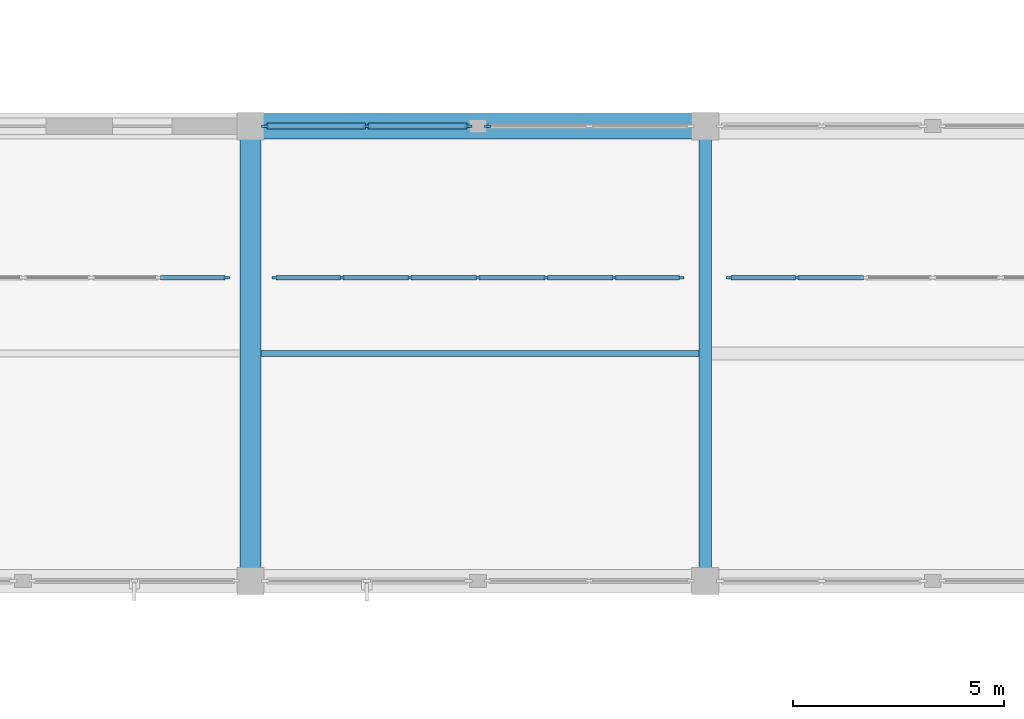
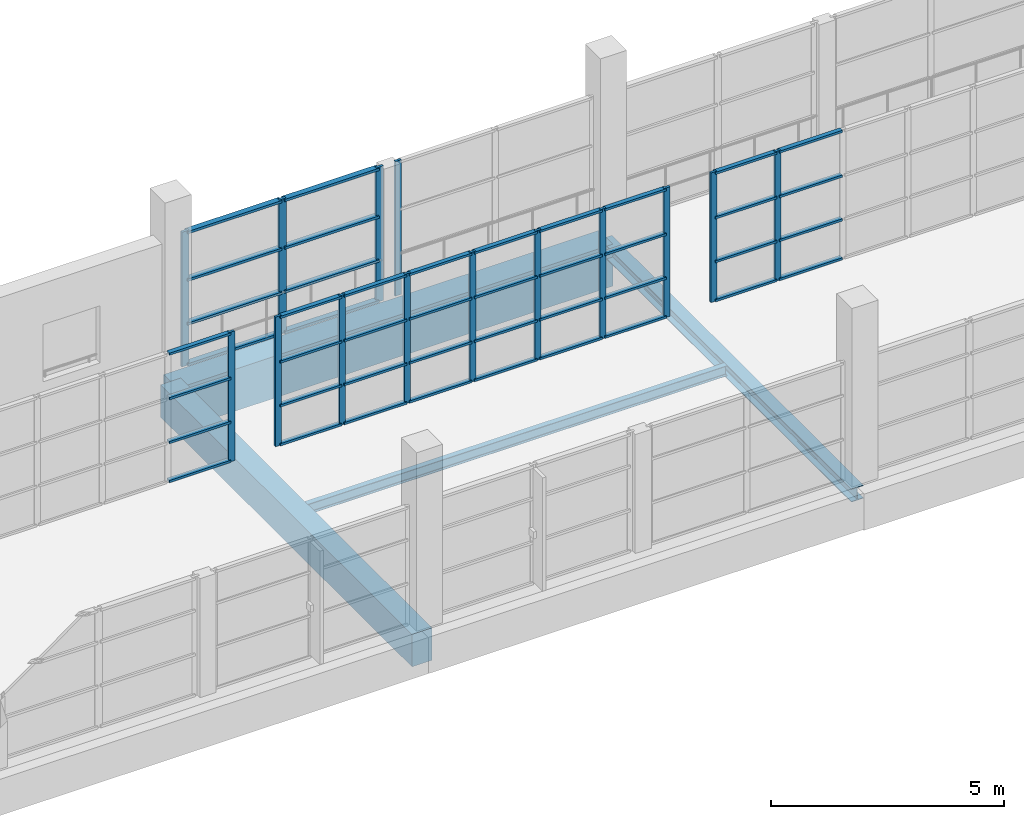
# One storey, part 27 of 142: 58 members, 4 beams, 5 elements without a shape of their own.
"""IFC4 building model written with IfcOpenShell, lengths in metres."""

from ifc_helpers import new_model, si_unit, direction, frame, origin, origin_2d, place, context, subcontext, project, spatial, rectangle, i_section, extrude, material, material_profile, profile_set, type_object, element, aggregate, save


model = new_model("IFC4")

# Units and contexts
model_context = context("Model", 3, precision=1e-05, world=origin(), true_north=direction((0.0, 1.0)))
body_context = subcontext(model_context, "Body", "Model", "MODEL_VIEW")
ifc_project = project(units=[si_unit("LENGTHUNIT", "METRE"), si_unit("AREAUNIT", "SQUARE_METRE"), si_unit("VOLUMEUNIT", "CUBIC_METRE"), si_unit("PLANEANGLEUNIT", "RADIAN"), si_unit("MASSUNIT", "GRAM", prefix="KILO")], contexts=[model_context])

# Site, building, storey
site_placement = place(None, origin())
site = spatial("IfcSite", under=ifc_project, at=site_placement, CompositionType="ELEMENT")
building_placement = place(site_placement, origin())
building = spatial("IfcBuilding", under=site, at=building_placement, Name="Zwinboog Wholesale Market", CompositionType="ELEMENT")
storey_placement = place(building_placement, frame((0.0, 0.0, 5.39990234375)))
storey = spatial("IfcBuildingStorey", under=building, at=storey_placement, Name="L01", CompositionType="ELEMENT", Elevation=5.39990234375)

# Beams
ifc_material_1 = material(Name="Precast concrete C45/55", Category="concrete")
ifc_material_profile_1 = material_profile(ifc_material_1, rectangle(XDim=0.60009765625, YDim=1.10009765625, at=origin_2d()), Name="PC 600x1100")
ifc_profile_set_1 = profile_set([ifc_material_profile_1], Name="Precast concrete C45/55")
beam_type_1 = type_object("IfcBeamType", Name="BT-01", PredefinedType="BEAM", material=ifc_profile_set_1)
beam_1_placement = place(storey_placement, frame((97.199951171875, 54.0, -0.85498046875), z_axis=(1.0, 0.0, 0.0), x_axis=(0.0, 1.0, 0.0)))
element("IfcBeam", 1, at=beam_1_placement, inside=storey, type_object=beam_type_1, Name="BG-01 (BMG-L01-0972-0540-0482)", PredefinedType="BEAM", context=body_context, shape_type="SweptSolid", body=[
    extrude(rectangle(XDim=0.60009765625, YDim=1.10009765625, at=origin_2d()), origin(), (0.0, 0.0, 1.0), 10.800048828125),
])
ifc_material_profile_2 = material_profile(ifc_material_1, rectangle(XDim=0.5, YDim=0.85009765625, at=origin_2d()), Name="PC 500x850")
ifc_profile_set_2 = profile_set([ifc_material_profile_2], Name="Precast concrete C45/55")
beam_type_2 = type_object("IfcBeamType", Name="BT-03", PredefinedType="BEAM", material=ifc_profile_set_2)
beam_2_placement = place(storey_placement, frame((97.199951171875, 43.199951171875, -0.72998046875), z_axis=(0.0, 1.0, 0.0), x_axis=(-1.0, 0.0, 0.0)))
element("IfcBeam", 2, at=beam_2_placement, inside=storey, type_object=beam_type_2, Name="BG-03 (BMG-L01-0972-0432-0689)", PredefinedType="BEAM", context=body_context, shape_type="SweptSolid", body=[
    extrude(rectangle(XDim=0.5, YDim=0.85009765625, at=origin_2d()), origin(), (0.0, 0.0, 1.0), 10.800048828125),
])
ifc_material_2 = material(Name="Steel S355", Category="steel")
ifc_material_profile_3 = material_profile(ifc_material_2, i_section(OverallWidth=0.300048828125, OverallDepth=0.35009765625, WebThickness=0.010009765625, FlangeThickness=0.017578125, FilletRadius=0.027099609375, at=origin_2d()), Name="HEA 360")
ifc_profile_set_3 = profile_set([ifc_material_profile_3], Name="Steel S355")
beam_type_3 = type_object("IfcBeamType", Name="BT-17", PredefinedType="BEAM", material=ifc_profile_set_3)
beam_3_placement = place(storey_placement, frame((108.0, 43.199951171875, -0.47998046875), z_axis=(0.0, 1.0, 0.0), x_axis=(-1.0, 0.0, 0.0)))
element("IfcBeam", 3, at=beam_3_placement, inside=storey, type_object=beam_type_3, Name="SB-04 (BMG-L01-1080-0432-0693)", PredefinedType="BEAM", context=body_context, shape_type="SweptSolid", body=[
    extrude(i_section(OverallWidth=0.300048828125, OverallDepth=0.35009765625, WebThickness=0.010009765625, FlangeThickness=0.017578125, FilletRadius=0.027099609375, at=origin_2d()), origin(), (0.0, 0.0, 1.0), 10.800048828125),
])
ifc_material_profile_4 = material_profile(ifc_material_2, i_section(OverallWidth=0.135009765625, OverallDepth=0.27001953125, WebThickness=0.006591796875, FlangeThickness=0.01025390625, FilletRadius=0.014892578125, at=origin_2d()), Name="IPE 270")
ifc_profile_set_4 = profile_set([ifc_material_profile_4], Name="Steel S355")
beam_type_4 = type_object("IfcBeamType", Name="BT-21", PredefinedType="JOIST", material=ifc_profile_set_4)
beam_4_placement = place(storey_placement, frame((97.449951171875, 48.60009765625, -0.43994140625), z_axis=(1.0, 0.0, 0.0), x_axis=(0.0, 1.0, 0.0)))
element("IfcBeam", 4, at=beam_4_placement, inside=storey, type_object=beam_type_4, Name="SJ-04 (BMG-L01-0974-0486-0829)", PredefinedType="JOIST", context=body_context, shape_type="SweptSolid", body=[
    extrude(i_section(OverallWidth=0.135009765625, OverallDepth=0.27001953125, WebThickness=0.006591796875, FlangeThickness=0.01025390625, FilletRadius=0.014892578125, at=origin_2d()), origin(), (0.0, 0.0, 1.0), 10.400146484375),
])

# Curtain wall, members
ifc_material_3 = material(Name="Aluminium thermally broken curtain wall", Category="aluminium")
curtain_wall_type_1 = type_object("IfcCurtainWallType", Name="CWT-CAFE-22", PredefinedType="USERDEFINED", material=ifc_material_3)
curtain_wall_1_placement = place(storey_placement, origin())
curtain_wall_1 = element("IfcCurtainWall", 5, at=curtain_wall_1_placement, inside=storey, type_object=curtain_wall_type_1, Name="CW-05 (CW-L01-101)", ObjectType="STOREFRONT_GLAZING", PredefinedType="USERDEFINED")
ifc_material_4 = material(Name="Aluminium EN AW-6060", Category="aluminium")
ifc_material_profile_5 = material_profile(ifc_material_4, rectangle(XDim=0.06494140625, YDim=0.179931640625, at=origin_2d()), Name="AL 65x180")
ifc_profile_set_5 = profile_set([ifc_material_profile_5], Name="Aluminium EN AW-6060")
member_type_1 = type_object("IfcMemberType", Name="CWM-65x180", PredefinedType="MULLION", material=ifc_profile_set_5)
member_1_placement = place(storey_placement, frame((97.552490234375, 54.0, 0.0), z_axis=(0.0, 0.0, 1.0), x_axis=(0.0, 1.0, 0.0)))
member_1 = element("IfcMember", 6, at=member_1_placement, type_object=member_type_1, Name="CW-05 mullion 1", PredefinedType="MULLION", context=body_context, shape_type="SweptSolid", body=[
    extrude(rectangle(XDim=0.06494140625, YDim=0.179931640625, at=origin_2d()), origin(), (0.0, 0.0, 1.0), 3.530029296875),
])
member_2_placement = place(storey_placement, frame((99.9599609375, 54.0, 0.0), z_axis=(0.0, 0.0, 1.0), x_axis=(0.0, 1.0, 0.0)))
member_2 = element("IfcMember", 7, at=member_2_placement, type_object=member_type_1, Name="CW-05 mullion 2", PredefinedType="MULLION", context=body_context, shape_type="SweptSolid", body=[
    extrude(rectangle(XDim=0.06494140625, YDim=0.179931640625, at=origin_2d()), origin(), (0.0, 0.0, 1.0), 3.530029296875),
])
member_3_placement = place(storey_placement, frame((102.367431640625, 54.0, 0.0), z_axis=(0.0, 0.0, 1.0), x_axis=(0.0, 1.0, 0.0)))
member_3 = element("IfcMember", 8, at=member_3_placement, type_object=member_type_1, Name="CW-05 mullion 3", PredefinedType="MULLION", context=body_context, shape_type="SweptSolid", body=[
    extrude(rectangle(XDim=0.06494140625, YDim=0.179931640625, at=origin_2d()), origin(), (0.0, 0.0, 1.0), 3.530029296875),
])

# Curtain wall, member
curtain_wall_type_2 = type_object("IfcCurtainWallType", Name="CWT-OFF-15", PredefinedType="USERDEFINED", material=ifc_material_3)
curtain_wall_2_placement = place(storey_placement, origin())
curtain_wall_2 = element("IfcCurtainWall", 9, at=curtain_wall_2_placement, inside=storey, type_object=curtain_wall_type_2, Name="CW-06 (CW-L01-102)", ObjectType="UNITIZED_CURTAIN_WALL", PredefinedType="USERDEFINED")
ifc_material_profile_6 = material_profile(ifc_material_4, rectangle(XDim=0.06005859375, YDim=0.14990234375, at=origin_2d()), Name="AL 60x150")
ifc_profile_set_6 = profile_set([ifc_material_profile_6], Name="Aluminium EN AW-6060")
member_type_2 = type_object("IfcMemberType", Name="CWM-60x150", PredefinedType="MULLION", material=ifc_profile_set_6)
member_4_placement = place(storey_placement, frame((102.830078125, 54.0, 0.0), z_axis=(0.0, 0.0, 1.0), x_axis=(0.0, 1.0, 0.0)))
member_4 = element("IfcMember", 10, at=member_4_placement, type_object=member_type_2, Name="CW-06 mullion 1", PredefinedType="MULLION", context=body_context, shape_type="SweptSolid", body=[
    extrude(rectangle(XDim=0.06005859375, YDim=0.14990234375, at=origin_2d()), origin(), (0.0, 0.0, 1.0), 3.530029296875),
])
aggregate(curtain_wall_2, [member_4])

# Member
ifc_material_profile_7 = material_profile(ifc_material_4, rectangle(XDim=0.139892578125, YDim=0.06494140625, at=origin_2d()), Name="AL 65x140")
ifc_profile_set_7 = profile_set([ifc_material_profile_7], Name="Aluminium EN AW-6060")
member_type_3 = type_object("IfcMemberType", Name="CWT-65x140", PredefinedType="USERDEFINED", material=ifc_profile_set_7)
member_5_placement = place(storey_placement, frame((97.5849609375, 54.0, 0.03271484375), z_axis=(1.0, 0.0, 0.0), x_axis=(0.0, 1.0, 0.0)))
member_5 = element("IfcMember", 11, at=member_5_placement, type_object=member_type_3, Name="CW-05 transom 1.1", ObjectType="TRANSOM", PredefinedType="USERDEFINED", context=body_context, shape_type="SweptSolid", body=[
    extrude(rectangle(XDim=0.139892578125, YDim=0.06494140625, at=origin_2d()), origin(), (0.0, 0.0, 1.0), 2.342529296875),
])

member_6_placement = place(storey_placement, frame((97.5849609375, 54.0, 1.10009765625), z_axis=(1.0, 0.0, 0.0), x_axis=(0.0, 1.0, 0.0)))
member_6 = element("IfcMember", 12, at=member_6_placement, type_object=member_type_3, Name="CW-05 transom 1.2", ObjectType="TRANSOM", PredefinedType="USERDEFINED", context=body_context, shape_type="SweptSolid", body=[
    extrude(rectangle(XDim=0.139892578125, YDim=0.06494140625, at=origin_2d()), origin(), (0.0, 0.0, 1.0), 2.342529296875),
])

member_7_placement = place(storey_placement, frame((97.5849609375, 54.0, 2.25), z_axis=(1.0, 0.0, 0.0), x_axis=(0.0, 1.0, 0.0)))
member_7 = element("IfcMember", 13, at=member_7_placement, type_object=member_type_3, Name="CW-05 transom 1.3", ObjectType="TRANSOM", PredefinedType="USERDEFINED", context=body_context, shape_type="SweptSolid", body=[
    extrude(rectangle(XDim=0.139892578125, YDim=0.06494140625, at=origin_2d()), origin(), (0.0, 0.0, 1.0), 2.342529296875),
])

member_8_placement = place(storey_placement, frame((97.5849609375, 54.0, 3.49755859375), z_axis=(1.0, 0.0, 0.0), x_axis=(0.0, 1.0, 0.0)))
member_8 = element("IfcMember", 14, at=member_8_placement, type_object=member_type_3, Name="CW-05 transom 1.4", ObjectType="TRANSOM", PredefinedType="USERDEFINED", context=body_context, shape_type="SweptSolid", body=[
    extrude(rectangle(XDim=0.139892578125, YDim=0.06494140625, at=origin_2d()), origin(), (0.0, 0.0, 1.0), 2.342529296875),
])

member_9_placement = place(storey_placement, frame((99.992431640625, 54.0, 0.03271484375), z_axis=(1.0, 0.0, 0.0), x_axis=(0.0, 1.0, 0.0)))
member_9 = element("IfcMember", 15, at=member_9_placement, type_object=member_type_3, Name="CW-05 transom 2.1", ObjectType="TRANSOM", PredefinedType="USERDEFINED", context=body_context, shape_type="SweptSolid", body=[
    extrude(rectangle(XDim=0.139892578125, YDim=0.06494140625, at=origin_2d()), origin(), (0.0, 0.0, 1.0), 2.342529296875),
])

member_10_placement = place(storey_placement, frame((99.992431640625, 54.0, 1.10009765625), z_axis=(1.0, 0.0, 0.0), x_axis=(0.0, 1.0, 0.0)))
member_10 = element("IfcMember", 16, at=member_10_placement, type_object=member_type_3, Name="CW-05 transom 2.2", ObjectType="TRANSOM", PredefinedType="USERDEFINED", context=body_context, shape_type="SweptSolid", body=[
    extrude(rectangle(XDim=0.139892578125, YDim=0.06494140625, at=origin_2d()), origin(), (0.0, 0.0, 1.0), 2.342529296875),
])

member_11_placement = place(storey_placement, frame((99.992431640625, 54.0, 2.25), z_axis=(1.0, 0.0, 0.0), x_axis=(0.0, 1.0, 0.0)))
member_11 = element("IfcMember", 17, at=member_11_placement, type_object=member_type_3, Name="CW-05 transom 2.3", ObjectType="TRANSOM", PredefinedType="USERDEFINED", context=body_context, shape_type="SweptSolid", body=[
    extrude(rectangle(XDim=0.139892578125, YDim=0.06494140625, at=origin_2d()), origin(), (0.0, 0.0, 1.0), 2.342529296875),
])

member_12_placement = place(storey_placement, frame((99.992431640625, 54.0, 3.49755859375), z_axis=(1.0, 0.0, 0.0), x_axis=(0.0, 1.0, 0.0)))
member_12 = element("IfcMember", 18, at=member_12_placement, type_object=member_type_3, Name="CW-05 transom 2.4", ObjectType="TRANSOM", PredefinedType="USERDEFINED", context=body_context, shape_type="SweptSolid", body=[
    extrude(rectangle(XDim=0.139892578125, YDim=0.06494140625, at=origin_2d()), origin(), (0.0, 0.0, 1.0), 2.342529296875),
])

aggregate(curtain_wall_1, [member_1, member_2, member_3, member_5, member_6, member_7, member_8, member_9, member_10, member_11, member_12])

# Curtain wall, member
curtain_wall_type_3 = type_object("IfcCurtainWallType", Name="CWT-INT-STALL", PredefinedType="USERDEFINED", material=ifc_material_3)
curtain_wall_3_placement = place(storey_placement, origin())
curtain_wall_3 = element("IfcCurtainWall", 19, at=curtain_wall_3_placement, inside=storey, type_object=curtain_wall_type_3, Name="CW-07 (CW-STL-227)", ObjectType="STOREFRONT_GLAZING", PredefinedType="USERDEFINED")
ifc_material_profile_8 = material_profile(ifc_material_4, rectangle(XDim=0.06005859375, YDim=0.14990234375, at=origin_2d()), Name="AL 60x150")
ifc_profile_set_8 = profile_set([ifc_material_profile_8], Name="Aluminium EN AW-6060")
member_type_4 = type_object("IfcMemberType", Name="CWM-INT-60x120", PredefinedType="MULLION", material=ifc_profile_set_8)
member_13_placement = place(storey_placement, frame((96.6201171875, 50.39990234375, 0.0), z_axis=(0.0, 0.0, 1.0), x_axis=(0.0, 1.0, 0.0)))
member_13 = element("IfcMember", 20, at=member_13_placement, type_object=member_type_4, Name="CW-07 mullion 7", PredefinedType="MULLION", context=body_context, shape_type="SweptSolid", body=[
    extrude(rectangle(XDim=0.06005859375, YDim=0.14990234375, at=origin_2d()), origin(), (0.0, 0.0, 1.0), 3.400146484375),
])

# Curtain wall, members
curtain_wall_4_placement = place(storey_placement, origin())
curtain_wall_4 = element("IfcCurtainWall", 21, at=curtain_wall_4_placement, inside=storey, type_object=curtain_wall_type_3, Name="CW-07 (CW-STL-228)", ObjectType="STOREFRONT_GLAZING", PredefinedType="USERDEFINED")
member_14_placement = place(storey_placement, frame((97.780029296875, 50.39990234375, 0.0), z_axis=(0.0, 0.0, 1.0), x_axis=(0.0, 1.0, 0.0)))
member_14 = element("IfcMember", 22, at=member_14_placement, type_object=member_type_4, Name="CW-07 mullion 1", PredefinedType="MULLION", context=body_context, shape_type="SweptSolid", body=[
    extrude(rectangle(XDim=0.06005859375, YDim=0.14990234375, at=origin_2d()), origin(), (0.0, 0.0, 1.0), 3.400146484375),
])
member_15_placement = place(storey_placement, frame((99.36669921875, 50.39990234375, 0.0), z_axis=(0.0, 0.0, 1.0), x_axis=(0.0, 1.0, 0.0)))
member_15 = element("IfcMember", 23, at=member_15_placement, type_object=member_type_4, Name="CW-07 mullion 2", PredefinedType="MULLION", context=body_context, shape_type="SweptSolid", body=[
    extrude(rectangle(XDim=0.06005859375, YDim=0.14990234375, at=origin_2d()), origin(), (0.0, 0.0, 1.0), 3.400146484375),
])
member_16_placement = place(storey_placement, frame((100.9833984375, 50.39990234375, 0.0), z_axis=(0.0, 0.0, 1.0), x_axis=(0.0, 1.0, 0.0)))
member_16 = element("IfcMember", 24, at=member_16_placement, type_object=member_type_4, Name="CW-07 mullion 3", PredefinedType="MULLION", context=body_context, shape_type="SweptSolid", body=[
    extrude(rectangle(XDim=0.06005859375, YDim=0.14990234375, at=origin_2d()), origin(), (0.0, 0.0, 1.0), 3.400146484375),
])
member_17_placement = place(storey_placement, frame((102.60009765625, 50.39990234375, 0.0), z_axis=(0.0, 0.0, 1.0), x_axis=(0.0, 1.0, 0.0)))
member_17 = element("IfcMember", 25, at=member_17_placement, type_object=member_type_4, Name="CW-07 mullion 4", PredefinedType="MULLION", context=body_context, shape_type="SweptSolid", body=[
    extrude(rectangle(XDim=0.06005859375, YDim=0.14990234375, at=origin_2d()), origin(), (0.0, 0.0, 1.0), 3.400146484375),
])
member_18_placement = place(storey_placement, frame((104.216552734375, 50.39990234375, 0.0), z_axis=(0.0, 0.0, 1.0), x_axis=(0.0, 1.0, 0.0)))
member_18 = element("IfcMember", 26, at=member_18_placement, type_object=member_type_4, Name="CW-07 mullion 5", PredefinedType="MULLION", context=body_context, shape_type="SweptSolid", body=[
    extrude(rectangle(XDim=0.06005859375, YDim=0.14990234375, at=origin_2d()), origin(), (0.0, 0.0, 1.0), 3.400146484375),
])
member_19_placement = place(storey_placement, frame((105.833251953125, 50.39990234375, 0.0), z_axis=(0.0, 0.0, 1.0), x_axis=(0.0, 1.0, 0.0)))
member_19 = element("IfcMember", 27, at=member_19_placement, type_object=member_type_4, Name="CW-07 mullion 6", PredefinedType="MULLION", context=body_context, shape_type="SweptSolid", body=[
    extrude(rectangle(XDim=0.06005859375, YDim=0.14990234375, at=origin_2d()), origin(), (0.0, 0.0, 1.0), 3.400146484375),
])
member_20_placement = place(storey_placement, frame((107.419921875, 50.39990234375, 0.0), z_axis=(0.0, 0.0, 1.0), x_axis=(0.0, 1.0, 0.0)))
member_20 = element("IfcMember", 28, at=member_20_placement, type_object=member_type_4, Name="CW-07 mullion 7", PredefinedType="MULLION", context=body_context, shape_type="SweptSolid", body=[
    extrude(rectangle(XDim=0.06005859375, YDim=0.14990234375, at=origin_2d()), origin(), (0.0, 0.0, 1.0), 3.400146484375),
])

curtain_wall_5_placement = place(storey_placement, origin())
curtain_wall_5 = element("IfcCurtainWall", 29, at=curtain_wall_5_placement, inside=storey, type_object=curtain_wall_type_3, Name="CW-07 (CW-STL-229)", ObjectType="STOREFRONT_GLAZING", PredefinedType="USERDEFINED")
member_21_placement = place(storey_placement, frame((108.580078125, 50.39990234375, 0.0), z_axis=(0.0, 0.0, 1.0), x_axis=(0.0, 1.0, 0.0)))
member_21 = element("IfcMember", 30, at=member_21_placement, type_object=member_type_4, Name="CW-07 mullion 1", PredefinedType="MULLION", context=body_context, shape_type="SweptSolid", body=[
    extrude(rectangle(XDim=0.06005859375, YDim=0.14990234375, at=origin_2d()), origin(), (0.0, 0.0, 1.0), 3.400146484375),
])
member_22_placement = place(storey_placement, frame((110.166748046875, 50.39990234375, 0.0), z_axis=(0.0, 0.0, 1.0), x_axis=(0.0, 1.0, 0.0)))
member_22 = element("IfcMember", 31, at=member_22_placement, type_object=member_type_4, Name="CW-07 mullion 2", PredefinedType="MULLION", context=body_context, shape_type="SweptSolid", body=[
    extrude(rectangle(XDim=0.06005859375, YDim=0.14990234375, at=origin_2d()), origin(), (0.0, 0.0, 1.0), 3.400146484375),
])

# Member
ifc_material_profile_9 = material_profile(ifc_material_4, rectangle(XDim=0.110107421875, YDim=0.06005859375, at=origin_2d()), Name="AL 60x110")
ifc_profile_set_9 = profile_set([ifc_material_profile_9], Name="Aluminium EN AW-6060")
member_type_5 = type_object("IfcMemberType", Name="CWT-INT-60x100", PredefinedType="USERDEFINED", material=ifc_profile_set_9)
member_23_placement = place(storey_placement, frame((95.063232421875, 50.39990234375, 0.030029296875), z_axis=(1.0, 0.0, 0.0), x_axis=(0.0, 1.0, 0.0)))
member_23 = element("IfcMember", 32, at=member_23_placement, type_object=member_type_5, Name="CW-07 transom 6.1", ObjectType="TRANSOM", PredefinedType="USERDEFINED", context=body_context, shape_type="SweptSolid", body=[
    extrude(rectangle(XDim=0.110107421875, YDim=0.06005859375, at=origin_2d()), origin(), (0.0, 0.0, 1.0), 1.52685546875),
])

member_24_placement = place(storey_placement, frame((95.063232421875, 50.39990234375, 1.050048828125), z_axis=(1.0, 0.0, 0.0), x_axis=(0.0, 1.0, 0.0)))
member_24 = element("IfcMember", 33, at=member_24_placement, type_object=member_type_5, Name="CW-07 transom 6.2", ObjectType="TRANSOM", PredefinedType="USERDEFINED", context=body_context, shape_type="SweptSolid", body=[
    extrude(rectangle(XDim=0.110107421875, YDim=0.06005859375, at=origin_2d()), origin(), (0.0, 0.0, 1.0), 1.52685546875),
])

member_25_placement = place(storey_placement, frame((95.063232421875, 50.39990234375, 2.2001953125), z_axis=(1.0, 0.0, 0.0), x_axis=(0.0, 1.0, 0.0)))
member_25 = element("IfcMember", 34, at=member_25_placement, type_object=member_type_5, Name="CW-07 transom 6.3", ObjectType="TRANSOM", PredefinedType="USERDEFINED", context=body_context, shape_type="SweptSolid", body=[
    extrude(rectangle(XDim=0.110107421875, YDim=0.06005859375, at=origin_2d()), origin(), (0.0, 0.0, 1.0), 1.52685546875),
])

member_26_placement = place(storey_placement, frame((95.063232421875, 50.39990234375, 3.3701171875), z_axis=(1.0, 0.0, 0.0), x_axis=(0.0, 1.0, 0.0)))
member_26 = element("IfcMember", 35, at=member_26_placement, type_object=member_type_5, Name="CW-07 transom 6.4", ObjectType="TRANSOM", PredefinedType="USERDEFINED", context=body_context, shape_type="SweptSolid", body=[
    extrude(rectangle(XDim=0.110107421875, YDim=0.06005859375, at=origin_2d()), origin(), (0.0, 0.0, 1.0), 1.52685546875),
])

aggregate(curtain_wall_3, [member_13, member_23, member_24, member_25, member_26])

member_27_placement = place(storey_placement, frame((97.81005859375, 50.39990234375, 0.030029296875), z_axis=(1.0, 0.0, 0.0), x_axis=(0.0, 1.0, 0.0)))
member_27 = element("IfcMember", 36, at=member_27_placement, type_object=member_type_5, Name="CW-07 transom 1.1", ObjectType="TRANSOM", PredefinedType="USERDEFINED", context=body_context, shape_type="SweptSolid", body=[
    extrude(rectangle(XDim=0.110107421875, YDim=0.06005859375, at=origin_2d()), origin(), (0.0, 0.0, 1.0), 1.526611328125),
])

member_28_placement = place(storey_placement, frame((97.81005859375, 50.39990234375, 1.050048828125), z_axis=(1.0, 0.0, 0.0), x_axis=(0.0, 1.0, 0.0)))
member_28 = element("IfcMember", 37, at=member_28_placement, type_object=member_type_5, Name="CW-07 transom 1.2", ObjectType="TRANSOM", PredefinedType="USERDEFINED", context=body_context, shape_type="SweptSolid", body=[
    extrude(rectangle(XDim=0.110107421875, YDim=0.06005859375, at=origin_2d()), origin(), (0.0, 0.0, 1.0), 1.526611328125),
])

member_29_placement = place(storey_placement, frame((97.81005859375, 50.39990234375, 2.2001953125), z_axis=(1.0, 0.0, 0.0), x_axis=(0.0, 1.0, 0.0)))
member_29 = element("IfcMember", 38, at=member_29_placement, type_object=member_type_5, Name="CW-07 transom 1.3", ObjectType="TRANSOM", PredefinedType="USERDEFINED", context=body_context, shape_type="SweptSolid", body=[
    extrude(rectangle(XDim=0.110107421875, YDim=0.06005859375, at=origin_2d()), origin(), (0.0, 0.0, 1.0), 1.526611328125),
])

member_30_placement = place(storey_placement, frame((97.81005859375, 50.39990234375, 3.3701171875), z_axis=(1.0, 0.0, 0.0), x_axis=(0.0, 1.0, 0.0)))
member_30 = element("IfcMember", 39, at=member_30_placement, type_object=member_type_5, Name="CW-07 transom 1.4", ObjectType="TRANSOM", PredefinedType="USERDEFINED", context=body_context, shape_type="SweptSolid", body=[
    extrude(rectangle(XDim=0.110107421875, YDim=0.06005859375, at=origin_2d()), origin(), (0.0, 0.0, 1.0), 1.526611328125),
])

member_31_placement = place(storey_placement, frame((99.396728515625, 50.39990234375, 0.030029296875), z_axis=(1.0, 0.0, 0.0), x_axis=(0.0, 1.0, 0.0)))
member_31 = element("IfcMember", 40, at=member_31_placement, type_object=member_type_5, Name="CW-07 transom 2.1", ObjectType="TRANSOM", PredefinedType="USERDEFINED", context=body_context, shape_type="SweptSolid", body=[
    extrude(rectangle(XDim=0.110107421875, YDim=0.06005859375, at=origin_2d()), origin(), (0.0, 0.0, 1.0), 1.556640625),
])

member_32_placement = place(storey_placement, frame((99.396728515625, 50.39990234375, 1.050048828125), z_axis=(1.0, 0.0, 0.0), x_axis=(0.0, 1.0, 0.0)))
member_32 = element("IfcMember", 41, at=member_32_placement, type_object=member_type_5, Name="CW-07 transom 2.2", ObjectType="TRANSOM", PredefinedType="USERDEFINED", context=body_context, shape_type="SweptSolid", body=[
    extrude(rectangle(XDim=0.110107421875, YDim=0.06005859375, at=origin_2d()), origin(), (0.0, 0.0, 1.0), 1.556640625),
])

member_33_placement = place(storey_placement, frame((99.396728515625, 50.39990234375, 2.2001953125), z_axis=(1.0, 0.0, 0.0), x_axis=(0.0, 1.0, 0.0)))
member_33 = element("IfcMember", 42, at=member_33_placement, type_object=member_type_5, Name="CW-07 transom 2.3", ObjectType="TRANSOM", PredefinedType="USERDEFINED", context=body_context, shape_type="SweptSolid", body=[
    extrude(rectangle(XDim=0.110107421875, YDim=0.06005859375, at=origin_2d()), origin(), (0.0, 0.0, 1.0), 1.556640625),
])

member_34_placement = place(storey_placement, frame((99.396728515625, 50.39990234375, 3.3701171875), z_axis=(1.0, 0.0, 0.0), x_axis=(0.0, 1.0, 0.0)))
member_34 = element("IfcMember", 43, at=member_34_placement, type_object=member_type_5, Name="CW-07 transom 2.4", ObjectType="TRANSOM", PredefinedType="USERDEFINED", context=body_context, shape_type="SweptSolid", body=[
    extrude(rectangle(XDim=0.110107421875, YDim=0.06005859375, at=origin_2d()), origin(), (0.0, 0.0, 1.0), 1.556640625),
])

member_35_placement = place(storey_placement, frame((101.013427734375, 50.39990234375, 0.030029296875), z_axis=(1.0, 0.0, 0.0), x_axis=(0.0, 1.0, 0.0)))
member_35 = element("IfcMember", 44, at=member_35_placement, type_object=member_type_5, Name="CW-07 transom 3.1", ObjectType="TRANSOM", PredefinedType="USERDEFINED", context=body_context, shape_type="SweptSolid", body=[
    extrude(rectangle(XDim=0.110107421875, YDim=0.06005859375, at=origin_2d()), origin(), (0.0, 0.0, 1.0), 1.556640625),
])

member_36_placement = place(storey_placement, frame((101.013427734375, 50.39990234375, 1.050048828125), z_axis=(1.0, 0.0, 0.0), x_axis=(0.0, 1.0, 0.0)))
member_36 = element("IfcMember", 45, at=member_36_placement, type_object=member_type_5, Name="CW-07 transom 3.2", ObjectType="TRANSOM", PredefinedType="USERDEFINED", context=body_context, shape_type="SweptSolid", body=[
    extrude(rectangle(XDim=0.110107421875, YDim=0.06005859375, at=origin_2d()), origin(), (0.0, 0.0, 1.0), 1.556640625),
])

member_37_placement = place(storey_placement, frame((101.013427734375, 50.39990234375, 2.2001953125), z_axis=(1.0, 0.0, 0.0), x_axis=(0.0, 1.0, 0.0)))
member_37 = element("IfcMember", 46, at=member_37_placement, type_object=member_type_5, Name="CW-07 transom 3.3", ObjectType="TRANSOM", PredefinedType="USERDEFINED", context=body_context, shape_type="SweptSolid", body=[
    extrude(rectangle(XDim=0.110107421875, YDim=0.06005859375, at=origin_2d()), origin(), (0.0, 0.0, 1.0), 1.556640625),
])

member_38_placement = place(storey_placement, frame((101.013427734375, 50.39990234375, 3.3701171875), z_axis=(1.0, 0.0, 0.0), x_axis=(0.0, 1.0, 0.0)))
member_38 = element("IfcMember", 47, at=member_38_placement, type_object=member_type_5, Name="CW-07 transom 3.4", ObjectType="TRANSOM", PredefinedType="USERDEFINED", context=body_context, shape_type="SweptSolid", body=[
    extrude(rectangle(XDim=0.110107421875, YDim=0.06005859375, at=origin_2d()), origin(), (0.0, 0.0, 1.0), 1.556640625),
])

member_39_placement = place(storey_placement, frame((102.6298828125, 50.39990234375, 0.030029296875), z_axis=(1.0, 0.0, 0.0), x_axis=(0.0, 1.0, 0.0)))
member_39 = element("IfcMember", 48, at=member_39_placement, type_object=member_type_5, Name="CW-07 transom 4.1", ObjectType="TRANSOM", PredefinedType="USERDEFINED", context=body_context, shape_type="SweptSolid", body=[
    extrude(rectangle(XDim=0.110107421875, YDim=0.06005859375, at=origin_2d()), origin(), (0.0, 0.0, 1.0), 1.556884765625),
])

member_40_placement = place(storey_placement, frame((102.6298828125, 50.39990234375, 1.050048828125), z_axis=(1.0, 0.0, 0.0), x_axis=(0.0, 1.0, 0.0)))
member_40 = element("IfcMember", 49, at=member_40_placement, type_object=member_type_5, Name="CW-07 transom 4.2", ObjectType="TRANSOM", PredefinedType="USERDEFINED", context=body_context, shape_type="SweptSolid", body=[
    extrude(rectangle(XDim=0.110107421875, YDim=0.06005859375, at=origin_2d()), origin(), (0.0, 0.0, 1.0), 1.556884765625),
])

member_41_placement = place(storey_placement, frame((102.6298828125, 50.39990234375, 2.2001953125), z_axis=(1.0, 0.0, 0.0), x_axis=(0.0, 1.0, 0.0)))
member_41 = element("IfcMember", 50, at=member_41_placement, type_object=member_type_5, Name="CW-07 transom 4.3", ObjectType="TRANSOM", PredefinedType="USERDEFINED", context=body_context, shape_type="SweptSolid", body=[
    extrude(rectangle(XDim=0.110107421875, YDim=0.06005859375, at=origin_2d()), origin(), (0.0, 0.0, 1.0), 1.556884765625),
])

member_42_placement = place(storey_placement, frame((102.6298828125, 50.39990234375, 3.3701171875), z_axis=(1.0, 0.0, 0.0), x_axis=(0.0, 1.0, 0.0)))
member_42 = element("IfcMember", 51, at=member_42_placement, type_object=member_type_5, Name="CW-07 transom 4.4", ObjectType="TRANSOM", PredefinedType="USERDEFINED", context=body_context, shape_type="SweptSolid", body=[
    extrude(rectangle(XDim=0.110107421875, YDim=0.06005859375, at=origin_2d()), origin(), (0.0, 0.0, 1.0), 1.556884765625),
])

member_43_placement = place(storey_placement, frame((104.24658203125, 50.39990234375, 0.030029296875), z_axis=(1.0, 0.0, 0.0), x_axis=(0.0, 1.0, 0.0)))
member_43 = element("IfcMember", 52, at=member_43_placement, type_object=member_type_5, Name="CW-07 transom 5.1", ObjectType="TRANSOM", PredefinedType="USERDEFINED", context=body_context, shape_type="SweptSolid", body=[
    extrude(rectangle(XDim=0.110107421875, YDim=0.06005859375, at=origin_2d()), origin(), (0.0, 0.0, 1.0), 1.556640625),
])

member_44_placement = place(storey_placement, frame((104.24658203125, 50.39990234375, 1.050048828125), z_axis=(1.0, 0.0, 0.0), x_axis=(0.0, 1.0, 0.0)))
member_44 = element("IfcMember", 53, at=member_44_placement, type_object=member_type_5, Name="CW-07 transom 5.2", ObjectType="TRANSOM", PredefinedType="USERDEFINED", context=body_context, shape_type="SweptSolid", body=[
    extrude(rectangle(XDim=0.110107421875, YDim=0.06005859375, at=origin_2d()), origin(), (0.0, 0.0, 1.0), 1.556640625),
])

member_45_placement = place(storey_placement, frame((104.24658203125, 50.39990234375, 2.2001953125), z_axis=(1.0, 0.0, 0.0), x_axis=(0.0, 1.0, 0.0)))
member_45 = element("IfcMember", 54, at=member_45_placement, type_object=member_type_5, Name="CW-07 transom 5.3", ObjectType="TRANSOM", PredefinedType="USERDEFINED", context=body_context, shape_type="SweptSolid", body=[
    extrude(rectangle(XDim=0.110107421875, YDim=0.06005859375, at=origin_2d()), origin(), (0.0, 0.0, 1.0), 1.556640625),
])

member_46_placement = place(storey_placement, frame((104.24658203125, 50.39990234375, 3.3701171875), z_axis=(1.0, 0.0, 0.0), x_axis=(0.0, 1.0, 0.0)))
member_46 = element("IfcMember", 55, at=member_46_placement, type_object=member_type_5, Name="CW-07 transom 5.4", ObjectType="TRANSOM", PredefinedType="USERDEFINED", context=body_context, shape_type="SweptSolid", body=[
    extrude(rectangle(XDim=0.110107421875, YDim=0.06005859375, at=origin_2d()), origin(), (0.0, 0.0, 1.0), 1.556640625),
])

member_47_placement = place(storey_placement, frame((105.86328125, 50.39990234375, 0.030029296875), z_axis=(1.0, 0.0, 0.0), x_axis=(0.0, 1.0, 0.0)))
member_47 = element("IfcMember", 56, at=member_47_placement, type_object=member_type_5, Name="CW-07 transom 6.1", ObjectType="TRANSOM", PredefinedType="USERDEFINED", context=body_context, shape_type="SweptSolid", body=[
    extrude(rectangle(XDim=0.110107421875, YDim=0.06005859375, at=origin_2d()), origin(), (0.0, 0.0, 1.0), 1.526611328125),
])

member_48_placement = place(storey_placement, frame((105.86328125, 50.39990234375, 1.050048828125), z_axis=(1.0, 0.0, 0.0), x_axis=(0.0, 1.0, 0.0)))
member_48 = element("IfcMember", 57, at=member_48_placement, type_object=member_type_5, Name="CW-07 transom 6.2", ObjectType="TRANSOM", PredefinedType="USERDEFINED", context=body_context, shape_type="SweptSolid", body=[
    extrude(rectangle(XDim=0.110107421875, YDim=0.06005859375, at=origin_2d()), origin(), (0.0, 0.0, 1.0), 1.526611328125),
])

member_49_placement = place(storey_placement, frame((105.86328125, 50.39990234375, 2.2001953125), z_axis=(1.0, 0.0, 0.0), x_axis=(0.0, 1.0, 0.0)))
member_49 = element("IfcMember", 58, at=member_49_placement, type_object=member_type_5, Name="CW-07 transom 6.3", ObjectType="TRANSOM", PredefinedType="USERDEFINED", context=body_context, shape_type="SweptSolid", body=[
    extrude(rectangle(XDim=0.110107421875, YDim=0.06005859375, at=origin_2d()), origin(), (0.0, 0.0, 1.0), 1.526611328125),
])

member_50_placement = place(storey_placement, frame((105.86328125, 50.39990234375, 3.3701171875), z_axis=(1.0, 0.0, 0.0), x_axis=(0.0, 1.0, 0.0)))
member_50 = element("IfcMember", 59, at=member_50_placement, type_object=member_type_5, Name="CW-07 transom 6.4", ObjectType="TRANSOM", PredefinedType="USERDEFINED", context=body_context, shape_type="SweptSolid", body=[
    extrude(rectangle(XDim=0.110107421875, YDim=0.06005859375, at=origin_2d()), origin(), (0.0, 0.0, 1.0), 1.526611328125),
])

aggregate(curtain_wall_4, [member_14, member_15, member_16, member_17, member_18, member_19, member_20, member_27, member_28, member_29, member_30, member_31, member_32, member_33, member_34, member_35, member_36, member_37, member_38, member_39, member_40, member_41, member_42, member_43, member_44, member_45, member_46, member_47, member_48, member_49, member_50])

member_51_placement = place(storey_placement, frame((108.610107421875, 50.39990234375, 0.030029296875), z_axis=(1.0, 0.0, 0.0), x_axis=(0.0, 1.0, 0.0)))
member_51 = element("IfcMember", 60, at=member_51_placement, type_object=member_type_5, Name="CW-07 transom 1.1", ObjectType="TRANSOM", PredefinedType="USERDEFINED", context=body_context, shape_type="SweptSolid", body=[
    extrude(rectangle(XDim=0.110107421875, YDim=0.06005859375, at=origin_2d()), origin(), (0.0, 0.0, 1.0), 1.526611328125),
])

member_52_placement = place(storey_placement, frame((108.610107421875, 50.39990234375, 1.050048828125), z_axis=(1.0, 0.0, 0.0), x_axis=(0.0, 1.0, 0.0)))
member_52 = element("IfcMember", 61, at=member_52_placement, type_object=member_type_5, Name="CW-07 transom 1.2", ObjectType="TRANSOM", PredefinedType="USERDEFINED", context=body_context, shape_type="SweptSolid", body=[
    extrude(rectangle(XDim=0.110107421875, YDim=0.06005859375, at=origin_2d()), origin(), (0.0, 0.0, 1.0), 1.526611328125),
])

member_53_placement = place(storey_placement, frame((108.610107421875, 50.39990234375, 2.2001953125), z_axis=(1.0, 0.0, 0.0), x_axis=(0.0, 1.0, 0.0)))
member_53 = element("IfcMember", 62, at=member_53_placement, type_object=member_type_5, Name="CW-07 transom 1.3", ObjectType="TRANSOM", PredefinedType="USERDEFINED", context=body_context, shape_type="SweptSolid", body=[
    extrude(rectangle(XDim=0.110107421875, YDim=0.06005859375, at=origin_2d()), origin(), (0.0, 0.0, 1.0), 1.526611328125),
])

member_54_placement = place(storey_placement, frame((108.610107421875, 50.39990234375, 3.3701171875), z_axis=(1.0, 0.0, 0.0), x_axis=(0.0, 1.0, 0.0)))
member_54 = element("IfcMember", 63, at=member_54_placement, type_object=member_type_5, Name="CW-07 transom 1.4", ObjectType="TRANSOM", PredefinedType="USERDEFINED", context=body_context, shape_type="SweptSolid", body=[
    extrude(rectangle(XDim=0.110107421875, YDim=0.06005859375, at=origin_2d()), origin(), (0.0, 0.0, 1.0), 1.526611328125),
])

member_55_placement = place(storey_placement, frame((110.19677734375, 50.39990234375, 0.030029296875), z_axis=(1.0, 0.0, 0.0), x_axis=(0.0, 1.0, 0.0)))
member_55 = element("IfcMember", 64, at=member_55_placement, type_object=member_type_5, Name="CW-07 transom 2.1", ObjectType="TRANSOM", PredefinedType="USERDEFINED", context=body_context, shape_type="SweptSolid", body=[
    extrude(rectangle(XDim=0.110107421875, YDim=0.06005859375, at=origin_2d()), origin(), (0.0, 0.0, 1.0), 1.556640625),
])

member_56_placement = place(storey_placement, frame((110.19677734375, 50.39990234375, 1.050048828125), z_axis=(1.0, 0.0, 0.0), x_axis=(0.0, 1.0, 0.0)))
member_56 = element("IfcMember", 65, at=member_56_placement, type_object=member_type_5, Name="CW-07 transom 2.2", ObjectType="TRANSOM", PredefinedType="USERDEFINED", context=body_context, shape_type="SweptSolid", body=[
    extrude(rectangle(XDim=0.110107421875, YDim=0.06005859375, at=origin_2d()), origin(), (0.0, 0.0, 1.0), 1.556640625),
])

member_57_placement = place(storey_placement, frame((110.19677734375, 50.39990234375, 2.2001953125), z_axis=(1.0, 0.0, 0.0), x_axis=(0.0, 1.0, 0.0)))
member_57 = element("IfcMember", 66, at=member_57_placement, type_object=member_type_5, Name="CW-07 transom 2.3", ObjectType="TRANSOM", PredefinedType="USERDEFINED", context=body_context, shape_type="SweptSolid", body=[
    extrude(rectangle(XDim=0.110107421875, YDim=0.06005859375, at=origin_2d()), origin(), (0.0, 0.0, 1.0), 1.556640625),
])

member_58_placement = place(storey_placement, frame((110.19677734375, 50.39990234375, 3.3701171875), z_axis=(1.0, 0.0, 0.0), x_axis=(0.0, 1.0, 0.0)))
member_58 = element("IfcMember", 67, at=member_58_placement, type_object=member_type_5, Name="CW-07 transom 2.4", ObjectType="TRANSOM", PredefinedType="USERDEFINED", context=body_context, shape_type="SweptSolid", body=[
    extrude(rectangle(XDim=0.110107421875, YDim=0.06005859375, at=origin_2d()), origin(), (0.0, 0.0, 1.0), 1.556640625),
])

aggregate(curtain_wall_5, [member_21, member_22, member_51, member_52, member_53, member_54, member_55, member_56, member_57, member_58])

save(model, "model.ifc")
